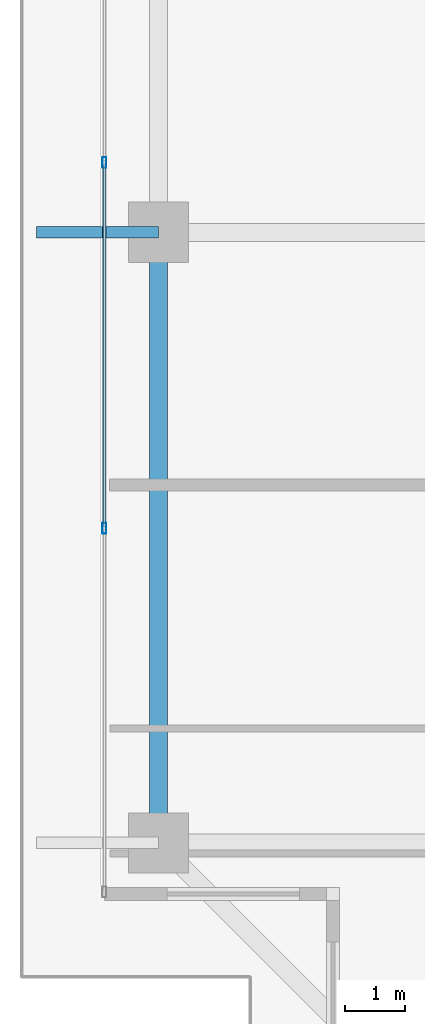
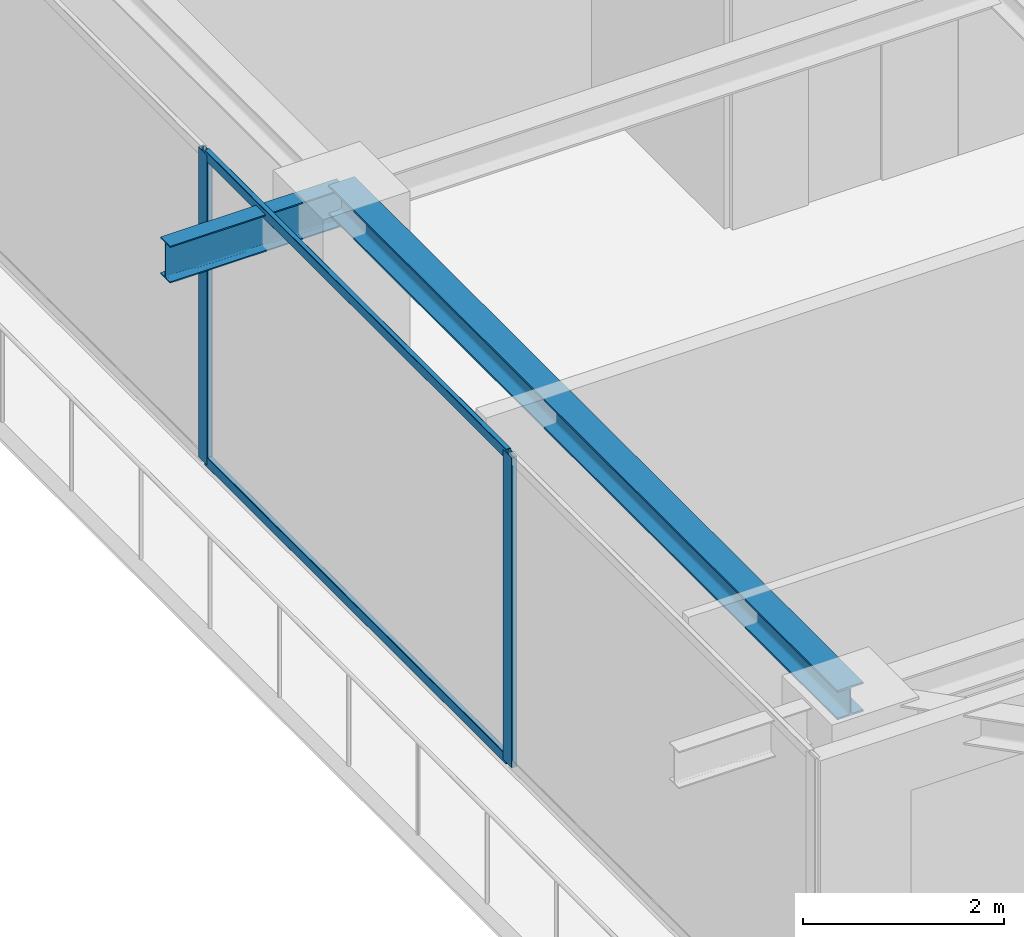
# One storey, part 8 of 42: 4 members, 2 beams, 1 element without a shape of its own.
"""IFC4 building model written with IfcOpenShell, lengths in metres."""

from ifc_helpers import new_model, si_unit, direction, frame, origin, origin_2d, place, context, subcontext, project, spatial, hollow_rectangle, i_section, extrude, source, transform, mapped, material, layer, layer_set, material_profile, profile_set, type_object, element, aggregate, save


model = new_model("IFC4")

# Units and contexts
model_context = context("Model", 3, precision=1e-05, world=origin(), true_north=direction((0.0, 1.0)))
body_context = subcontext(model_context, "Body", "Model", "MODEL_VIEW")
ifc_project = project(units=[si_unit("LENGTHUNIT", "METRE"), si_unit("AREAUNIT", "SQUARE_METRE"), si_unit("VOLUMEUNIT", "CUBIC_METRE"), si_unit("PLANEANGLEUNIT", "RADIAN"), si_unit("MASSUNIT", "GRAM", prefix="KILO")], contexts=[model_context])

# Site, building, storey
site_placement = place(None, origin())
site = spatial("IfcSite", under=ifc_project, at=site_placement, CompositionType="ELEMENT")
building_placement = place(site_placement, origin())
building = spatial("IfcBuilding", under=site, at=building_placement, Name="Serunith Strait Residences", CompositionType="ELEMENT")
storey_placement = place(building_placement, frame((0.0, 0.0, 325.85009765625)))
storey = spatial("IfcBuildingStorey", under=building, at=storey_placement, Name="L81", CompositionType="ELEMENT", Elevation=325.85009765625)

# Beams
ifc_material_1 = material(Name="Steel S355J2", Category="steel")
ifc_material_profile_1 = material_profile(ifc_material_1, i_section(OverallWidth=0.300048828125, OverallDepth=0.360107421875, WebThickness=0.012451171875, FlangeThickness=0.0224609375, FilletRadius=0.027099609375, at=origin_2d()), Name="HEB 360")
ifc_profile_set_1 = profile_set([ifc_material_profile_1], Name="Steel S355J2")
beam_type_1 = type_object("IfcBeamType", Name="BM-HEB360", PredefinedType="BEAM", material=ifc_profile_set_1)
shared_shape_1 = source(origin(), body_context, "Body", "SweptSolid", [
    extrude(i_section(OverallWidth=0.300048828125, OverallDepth=0.360107421875, WebThickness=0.012451171875, FlangeThickness=0.0224609375, FilletRadius=0.027099609375, at=origin_2d()), origin(), (0.0, 0.0, 1.0), 10.14990234375),
])
beam_1_placement = place(storey_placement, frame((10.10009765625, 21.0, 3.60693359375), z_axis=(0.0, -1.0, 0.0), x_axis=(1.0, 0.0, 0.0)))
element("IfcBeam", 1, at=beam_1_placement, inside=storey, type_object=beam_type_1, Name="L81 Perimeter Ring Beam 15", PredefinedType="BEAM", context=body_context, shape_type="MappedRepresentation", body=[
    mapped(shared_shape_1, transform((0.0, 0.0, 0.0), scale=1.0)),
])
ifc_material_profile_2 = material_profile(ifc_material_1, i_section(OverallWidth=0.18994140625, OverallDepth=0.449951171875, WebThickness=0.009521484375, FlangeThickness=0.0146484375, FilletRadius=0.02099609375, at=origin_2d()), Name="IPE 450")
ifc_profile_set_2 = profile_set([ifc_material_profile_2], Name="Steel S355J2")
beam_type_2 = type_object("IfcBeamType", Name="BM-IPE450", PredefinedType="JOIST", material=ifc_profile_set_2)
shared_shape_2 = source(origin(), body_context, "Body", "SweptSolid", [
    extrude(i_section(OverallWidth=0.18994140625, OverallDepth=0.449951171875, WebThickness=0.009521484375, FlangeThickness=0.0146484375, FilletRadius=0.02099609375, at=origin_2d()), origin(), (0.0, 0.0, 1.0), 2.030029296875),
])
beam_2_placement = place(storey_placement, frame((10.10009765625, 21.0, 3.531982421875), z_axis=(-1.0, 0.0, 0.0), x_axis=(0.0, -1.0, 0.0)))
element("IfcBeam", 2, at=beam_2_placement, inside=storey, type_object=beam_type_2, Name="L82 Cantilevered Balcony Rib TC-W2", PredefinedType="JOIST", context=body_context, shape_type="MappedRepresentation", body=[
    mapped(shared_shape_2, transform((0.0, 0.0, 0.0), scale=1.0)),
])

# Curtain wall, members
ifc_material_2 = material(Name="Brushed Stainless-Silver Aluminium", Category="aluminium")
ifc_layer = layer(ifc_material_2, 0.199951171875, Name="Brushed Stainless-Silver Aluminium")
ifc_layer_set = layer_set([ifc_layer], Name="Brushed Stainless-Silver Aluminium")
curtain_wall_type = type_object("IfcCurtainWallType", Name="CW-SYS5", PredefinedType="NOTDEFINED", material=ifc_layer_set)
curtain_wall_placement = place(storey_placement, origin())
curtain_wall = element("IfcCurtainWall", 3, at=curtain_wall_placement, inside=storey, type_object=curtain_wall_type, Name="L81 W Unitised Fritted Curtain Wall", PredefinedType="NOTDEFINED")
ifc_material_profile_3 = material_profile(ifc_material_2, hollow_rectangle(XDim=0.06005859375, YDim=0.1201171875, WallThickness=0.00341796875, InnerFilletRadius=0.00537109375, OuterFilletRadius=0.0087890625, at=origin_2d()), Name="ALU 120x60x3.5")
ifc_profile_set_3 = profile_set([ifc_material_profile_3], Name="Brushed Stainless-Silver Aluminium")
member_type_1 = type_object("IfcMemberType", Name="CW-SYS5-TRAN", PredefinedType="USERDEFINED", material=ifc_profile_set_3)
shared_shape_3 = source(origin(), body_context, "Body", "SweptSolid", [
    extrude(hollow_rectangle(XDim=0.06005859375, YDim=0.1201171875, WallThickness=0.00341796875, InnerFilletRadius=0.00537109375, OuterFilletRadius=0.0087890625, at=origin_2d()), origin(), (0.0, 0.0, 1.0), 6.014892578125),
])
member_1_placement = place(storey_placement, frame((9.199951171875, 22.12744140625, 0.02978515625), z_axis=(0.0, -1.0, 0.0), x_axis=(1.0, 0.0, 0.0)))
member_1 = element("IfcMember", 4, at=member_1_placement, type_object=member_type_1, Name="CW-5 transom 4.1", ObjectType="TRANSOM", PredefinedType="USERDEFINED", context=body_context, shape_type="MappedRepresentation", body=[
    mapped(shared_shape_3, transform((0.0, 0.0, 0.0), scale=1.0)),
])
member_2_placement = place(storey_placement, frame((9.199951171875, 22.12744140625, 3.744873046875), z_axis=(0.0, -1.0, 0.0), x_axis=(1.0, 0.0, 0.0)))
member_2 = element("IfcMember", 5, at=member_2_placement, type_object=member_type_1, Name="CW-5 transom 4.2", ObjectType="TRANSOM", PredefinedType="USERDEFINED", context=body_context, shape_type="MappedRepresentation", body=[
    mapped(shared_shape_3, transform((0.0, 0.0, 0.0), scale=1.0)),
])
ifc_material_profile_4 = material_profile(ifc_material_2, hollow_rectangle(XDim=0.06494140625, YDim=0.179931640625, WallThickness=0.00341796875, InnerFilletRadius=0.00537109375, OuterFilletRadius=0.0087890625, at=origin_2d()), Name="ALU 180x65x3.5")
ifc_profile_set_4 = profile_set([ifc_material_profile_4], Name="Brushed Stainless-Silver Aluminium")
member_type_2 = type_object("IfcMemberType", Name="CW-SYS5-MULL", PredefinedType="MULLION", material=ifc_profile_set_4)
shared_shape_4 = source(origin(), body_context, "Body", "SweptSolid", [
    extrude(hollow_rectangle(XDim=0.06494140625, YDim=0.179931640625, WallThickness=0.00341796875, InnerFilletRadius=0.00537109375, OuterFilletRadius=0.0087890625, at=origin_2d()), origin(), (0.0, 0.0, 1.0), 3.77490234375),
])
member_3_placement = place(storey_placement, frame((9.199951171875, 22.159912109375, 0.0), z_axis=(0.0, 0.0, 1.0), x_axis=(1.0, 0.0, 0.0)))
member_3 = element("IfcMember", 6, at=member_3_placement, type_object=member_type_2, Name="CW-5 mullion 4", PredefinedType="MULLION", context=body_context, shape_type="MappedRepresentation", body=[
    mapped(shared_shape_4, transform((0.0, 0.0, 0.0), scale=1.0)),
])
member_4_placement = place(storey_placement, frame((9.199951171875, 16.080078125, 0.0), z_axis=(0.0, 0.0, 1.0), x_axis=(1.0, 0.0, 0.0)))
member_4 = element("IfcMember", 7, at=member_4_placement, type_object=member_type_2, Name="CW-5 mullion 5", PredefinedType="MULLION", context=body_context, shape_type="MappedRepresentation", body=[
    mapped(shared_shape_4, transform((0.0, 0.0, 0.0), scale=1.0)),
])
aggregate(curtain_wall, [member_3, member_4, member_1, member_2])

save(model, "model.ifc")
